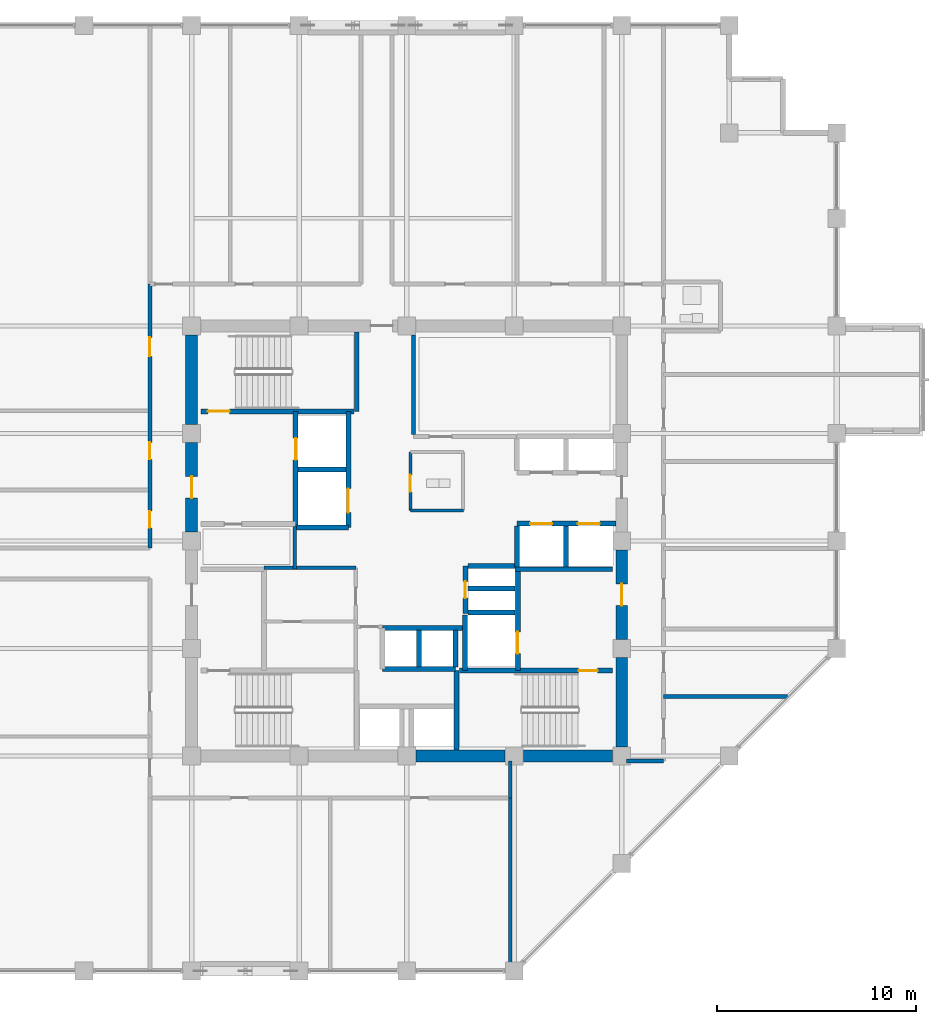
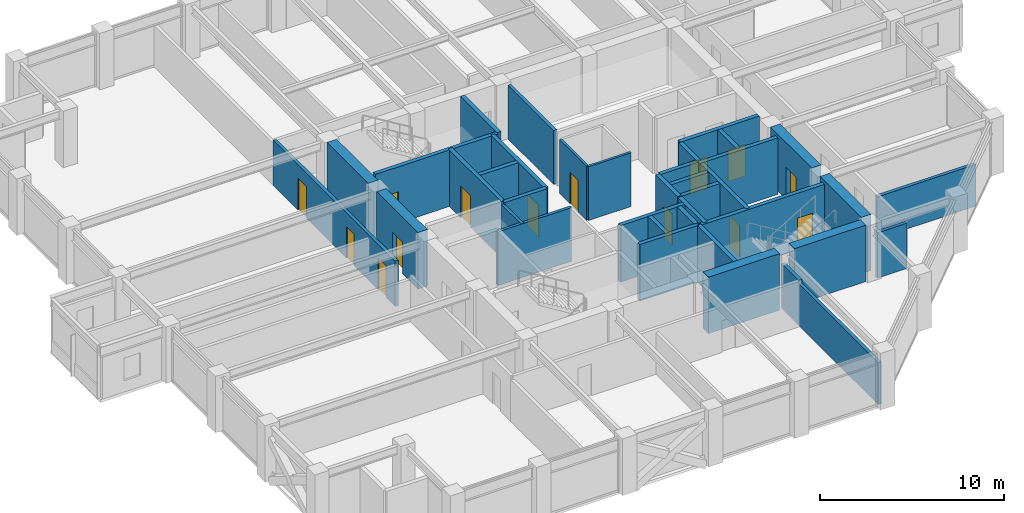
# One storey, part 23 of 28: 38 walls, 14 doors, 14 openings.
"""IFC4 building model written with IfcOpenShell, lengths in metres."""

from ifc_helpers import new_model, si_unit, direction, frame, frame_2d, origin, place, context, subcontext, project, spatial, rectangle, extrude, material, layer, layer_set, type_object, element, fill, save


model = new_model("IFC4")

# Units and contexts
model_context = context("Model", 3, precision=1e-05, world=origin(), true_north=direction((0.0, 1.0)))
body_context = subcontext(model_context, "Body", "Model", "MODEL_VIEW")
ifc_project = project(units=[si_unit("LENGTHUNIT", "METRE"), si_unit("AREAUNIT", "SQUARE_METRE"), si_unit("VOLUMEUNIT", "CUBIC_METRE"), si_unit("PLANEANGLEUNIT", "RADIAN"), si_unit("MASSUNIT", "GRAM", prefix="KILO")], contexts=[model_context])

# Site, building, storey
site_placement = place(None, origin())
site = spatial("IfcSite", under=ifc_project, at=site_placement, CompositionType="ELEMENT")
building_placement = place(site_placement, origin())
building = spatial("IfcBuilding", under=site, at=building_placement, Name="Surkhivell Harbour Commons", CompositionType="ELEMENT")
storey_placement = place(building_placement, frame((0.0, 0.0, 174.75)))
storey = spatial("IfcBuildingStorey", under=building, at=storey_placement, Name="L45", CompositionType="ELEMENT", Elevation=174.75)

# Wall
ifc_material_1 = material(Name="Concrete C60/75", Category="concrete")
ifc_layer_1 = layer(ifc_material_1, 0.60009765625)
ifc_layer_set_1 = layer_set([ifc_layer_1], Name="Concrete C60/75")
wall_type_1 = type_object("IfcWallType", Name="WAL-CORE-600", PredefinedType="SHEAR", material=ifc_layer_set_1)
wall_1_placement = place(storey_placement, frame((10.800048828125, -10.340087890625, 0.0), z_axis=(0.0, 0.0, 1.0), x_axis=(0.0, 1.0, 0.0)))
element("IfcWall", 1, at=wall_1_placement, inside=storey, type_object=wall_type_1, Name="L45 Core Shear Wall East 1", PredefinedType="SHEAR", context=body_context, shape_type="SweptSolid", body=[
    extrude(rectangle(XDim=4.47998046875, YDim=0.60009765625, at=frame_2d((2.239990234375, 0.0))), origin(), (0.0, 0.0, 1.0), 3.75),
])

# Wall, opening, door
wall_2_placement = place(storey_placement, frame((10.800048828125, -4.93994140625, 0.0), z_axis=(0.0, 0.0, 1.0), x_axis=(0.0, 1.0, 0.0)))
wall_2 = element("IfcWall", 2, at=wall_2_placement, inside=storey, type_object=wall_type_1, Name="L45 Core Shear Wall East 2", PredefinedType="SHEAR", context=body_context, shape_type="SweptSolid", body=[
    extrude(rectangle(XDim=4.47998046875, YDim=0.60009765625, at=frame_2d((2.239990234375, 0.0))), origin(), (0.0, 0.0, 1.0), 3.75),
])
opening_1_placement = place(wall_2_placement, frame((1.68994140625, 0.0, 0.0)))
opening_1 = element("IfcOpeningElement", 3, at=opening_1_placement, cuts=wall_2, Name="Opening ID-1", PredefinedType="OPENING", context=body_context, shape_type="SweptSolid", body=[
    extrude(rectangle(XDim=1.10009765625, YDim=2.10009765625, at=frame_2d((0.550048828125, 1.050048828125))), frame((0.0, 0.31005859375, 0.0), z_axis=(0.0, -1.0, 0.0), x_axis=(1.0, 0.0, 0.0)), (0.0, 0.0, 1.0), 0.6201171875),
])
ifc_material_2 = material(Name="Hardwood-veneered fire-rated door leaf", Category="wood")
door_type_1 = type_object("IfcDoorType", Name="DOR-FD120-1100", OperationType="NOTDEFINED", PredefinedType="DOOR", material=ifc_material_2)
door_1_placement = place(opening_1_placement, origin())
door_1 = element("IfcDoor", 4, at=door_1_placement, inside=storey, type_object=door_type_1, Name="L45 Firefighting Lobby 2 Corridor Door", OperationType="SINGLE_SWING_RIGHT", OverallHeight=2.10009765625, OverallWidth=1.10009765625, PredefinedType="DOOR", context=body_context, shape_type="SweptSolid", body=[
    extrude(rectangle(XDim=1.10009765625, YDim=2.10009765625, at=frame_2d((0.550048828125, 1.050048828125))), frame((0.0, 0.02490234375, 0.0), z_axis=(0.0, -1.0, 0.0), x_axis=(1.0, 0.0, 0.0)), (0.0, 0.0, 1.0), 0.050048828125),
])
fill(opening_1, door_1)

# Wall
wall_3_placement = place(storey_placement, frame((0.4599609375, -10.800048828125, 0.0), z_axis=(0.0, 0.0, 1.0), x_axis=(1.0, 0.0, 0.0)))
element("IfcWall", 5, at=wall_3_placement, inside=storey, type_object=wall_type_1, Name="L45 Core Shear Wall South 3", PredefinedType="SHEAR", context=body_context, shape_type="SweptSolid", body=[
    extrude(rectangle(XDim=4.47998046875, YDim=0.60009765625, at=frame_2d((2.239990234375, 0.0))), origin(), (0.0, 0.0, 1.0), 3.75),
])

# Wall, opening, door
wall_4_placement = place(storey_placement, frame((-10.800048828125, 0.4599609375, 0.0), z_axis=(0.0, 0.0, 1.0), x_axis=(0.0, 1.0, 0.0)))
wall_4 = element("IfcWall", 6, at=wall_4_placement, inside=storey, type_object=wall_type_1, Name="L45 Core Shear Wall West 3", PredefinedType="SHEAR", context=body_context, shape_type="SweptSolid", body=[
    extrude(rectangle(XDim=4.47998046875, YDim=0.60009765625, at=frame_2d((2.239990234375, 0.0))), origin(), (0.0, 0.0, 1.0), 3.75),
])
opening_2_placement = place(wall_4_placement, frame((1.68994140625, 0.0, 0.0)))
opening_2 = element("IfcOpeningElement", 7, at=opening_2_placement, cuts=wall_4, Name="Opening ID-1", PredefinedType="OPENING", context=body_context, shape_type="SweptSolid", body=[
    extrude(rectangle(XDim=1.10009765625, YDim=2.10009765625, at=frame_2d((0.550048828125, 1.050048828125))), frame((0.0, 0.31005859375, 0.0), z_axis=(0.0, -1.0, 0.0), x_axis=(1.0, 0.0, 0.0)), (0.0, 0.0, 1.0), 0.6201171875),
])
door_2_placement = place(opening_2_placement, origin())
door_2 = element("IfcDoor", 8, at=door_2_placement, inside=storey, type_object=door_type_1, Name="L45 Firefighting Lobby 1 Corridor Door", OperationType="SINGLE_SWING_LEFT", OverallHeight=2.10009765625, OverallWidth=1.10009765625, PredefinedType="DOOR", context=body_context, shape_type="SweptSolid", body=[
    extrude(rectangle(XDim=1.10009765625, YDim=2.10009765625, at=frame_2d((0.550048828125, 1.050048828125))), frame((0.0, 0.02490234375, 0.0), z_axis=(0.0, -1.0, 0.0), x_axis=(1.0, 0.0, 0.0)), (0.0, 0.0, 1.0), 0.050048828125),
])
fill(opening_2, door_2)

# Walls
for number, where, z_axis, x_axis, name in (
    (9, (5.860107421875, -10.800048828125, 0.0), (0.0, 0.0, 1.0), (1.0, 0.0, 0.0), "L45 Core Shear Wall South 4"),
    (10, (-10.800048828125, 5.860107421875, 0.0), (0.0, 0.0, 1.0), (0.0, 1.0, 0.0), "L45 Core Shear Wall West 4"),
):
    element("IfcWall", number, at=place(storey_placement, frame(where, z_axis=z_axis, x_axis=x_axis)), inside=storey, type_object=wall_type_1, Name=name, PredefinedType="SHEAR", context=body_context, shape_type="SweptSolid", body=[
        extrude(rectangle(XDim=4.47998046875, YDim=0.60009765625, at=frame_2d((2.239990234375, 0.0))), origin(), (0.0, 0.0, 1.0), 3.75),
    ])
ifc_material_3 = material(Name="Twin-stud acoustic fireboard partition", Category="other")
ifc_layer_2 = layer(ifc_material_3, 0.14990234375)
ifc_layer_set_2 = layer_set([ifc_layer_2], Name="Twin-stud acoustic fireboard partition")
wall_type_2 = type_object("IfcWallType", Name="WAL-INT-150", PredefinedType="PARTITIONING", material=ifc_layer_set_2)
wall_5_placement = place(storey_placement, frame((0.179931640625, 1.52001953125, 0.0), z_axis=(0.0, 0.0, 1.0), x_axis=(1.0, 0.0, 0.0)))
element("IfcWall", 11, at=wall_5_placement, inside=storey, type_object=wall_type_2, Name="L45 Core Accessible WC South Wall", PredefinedType="PARTITIONING", context=body_context, shape_type="SweptSolid", body=[
    extrude(rectangle(XDim=2.670166015625, YDim=0.14990234375, at=frame_2d((1.3349609375, 0.0))), origin(), (0.0, 0.0, 1.0), 3.570068359375),
])

# Wall, opening, door
wall_6_placement = place(storey_placement, frame((0.179931640625, 1.52001953125, 0.0), z_axis=(0.0, 0.0, 1.0), x_axis=(0.0, 1.0, 0.0)))
wall_6 = element("IfcWall", 12, at=wall_6_placement, inside=storey, type_object=wall_type_2, Name="L45 Core Accessible WC West Wall", PredefinedType="PARTITIONING", context=body_context, shape_type="SweptSolid", body=[
    extrude(rectangle(XDim=2.9599609375, YDim=0.14990234375, at=frame_2d((1.47998046875, 0.0))), origin(), (0.0, 0.0, 1.0), 3.570068359375),
])
opening_3_placement = place(wall_6_placement, frame((0.949951171875, 0.0, 0.0)))
opening_3 = element("IfcOpeningElement", 13, at=opening_3_placement, cuts=wall_6, Name="Opening ID-6", PredefinedType="OPENING", context=body_context, shape_type="SweptSolid", body=[
    extrude(rectangle(XDim=0.85009765625, YDim=2.10009765625, at=frame_2d((0.425048828125, 1.050048828125))), frame((0.0, 0.0849609375, 0.0), z_axis=(0.0, -1.0, 0.0), x_axis=(1.0, 0.0, 0.0)), (0.0, 0.0, 1.0), 0.169921875),
])
door_type_2 = type_object("IfcDoorType", Name="DOR-FD30-850", OperationType="NOTDEFINED", PredefinedType="DOOR", material=ifc_material_2)
door_3_placement = place(opening_3_placement, origin())
door_3 = element("IfcDoor", 14, at=door_3_placement, inside=storey, type_object=door_type_2, Name="L45 Floor Accessible WC Door", OperationType="SINGLE_SWING_RIGHT", OverallHeight=2.10009765625, OverallWidth=0.85009765625, PredefinedType="DOOR", context=body_context, shape_type="SweptSolid", body=[
    extrude(rectangle(XDim=0.85009765625, YDim=2.10009765625, at=frame_2d((0.425048828125, 1.050048828125))), frame((0.0, 0.02490234375, 0.0), z_axis=(0.0, -1.0, 0.0), x_axis=(1.0, 0.0, 0.0)), (0.0, 0.0, 1.0), 0.050048828125),
])
fill(opening_3, door_3)

# Walls
ifc_material_4 = material(Name="High-density acoustic blockwork fire partition", Category="masonry")
ifc_layer_3 = layer(ifc_material_4, 0.175048828125)
ifc_layer_set_3 = layer_set([ifc_layer_3], Name="High-density acoustic blockwork fire partition")
wall_type_3 = type_object("IfcWallType", Name="WAL-INT-175", PredefinedType="PARTITIONING", material=ifc_layer_set_3)
wall_7_placement = place(storey_placement, frame((-7.179931640625, -1.35009765625, 0.0), z_axis=(0.0, 0.0, 1.0), x_axis=(1.0, 0.0, 0.0)))
element("IfcWall", 15, at=wall_7_placement, inside=storey, type_object=wall_type_3, Name="L45 Core Service Bay North Wall", PredefinedType="PARTITIONING", context=body_context, shape_type="SweptSolid", body=[
    extrude(rectangle(XDim=4.6298828125, YDim=0.175048828125, at=frame_2d((2.31494140625, 0.0))), origin(), (0.0, 0.0, 1.0), 3.570068359375),
])
wall_8_placement = place(storey_placement, frame((-5.6201171875, -1.419921875, 0.0), z_axis=(0.0, 0.0, 1.0), x_axis=(0.0, 1.0, 0.0)))
element("IfcWall", 16, at=wall_8_placement, inside=storey, type_object=wall_type_3, Name="L45 West Core Bay East Wall", PredefinedType="PARTITIONING", context=body_context, shape_type="SweptSolid", body=[
    extrude(rectangle(XDim=2.139892578125, YDim=0.175048828125, at=frame_2d((1.06982421875, 0.0))), origin(), (0.0, 0.0, 1.0), 3.570068359375),
])
ifc_material_5 = material(Name="Autoclaved aerated concrete blockwork and fire plaster", Category="masonry")
ifc_layer_4 = layer(ifc_material_5, 0.199951171875)
ifc_layer_set_4 = layer_set([ifc_layer_4], Name="Autoclaved aerated concrete blockwork and fire plaster")
wall_type_4 = type_object("IfcWallType", Name="WAL-INT-200", PredefinedType="PARTITIONING", material=ifc_layer_set_4)
wall_9_placement = place(storey_placement, frame((0.35009765625, 5.360107421875, 0.0), z_axis=(0.0, 0.0, 1.0), x_axis=(0.0, 1.0, 0.0)))
element("IfcWall", 17, at=wall_9_placement, inside=storey, type_object=wall_type_4, Name="L45 Reclaimed Core North Bay West Wall", PredefinedType="PARTITIONING", context=body_context, shape_type="SweptSolid", body=[
    extrude(rectangle(XDim=4.97998046875, YDim=0.199951171875, at=frame_2d((2.489990234375, 0.0))), origin(), (0.0, 0.0, 1.0), 3.570068359375),
])
wall_10_placement = place(storey_placement, frame((5.199951171875, -21.5400390625, 0.0), z_axis=(0.0, 0.0, 1.0), x_axis=(0.0, 1.0, 0.0)))
element("IfcWall", 18, at=wall_10_placement, inside=storey, type_object=wall_type_4, Name="L45 South-East Corner Wall", PredefinedType="PARTITIONING", context=body_context, shape_type="SweptSolid", body=[
    extrude(rectangle(XDim=8.64013671875, YDim=0.199951171875, at=frame_2d((4.320068359375, 0.0))), origin(), (0.0, 0.0, 1.0), 2.780029296875),
])
for number, where, z_axis, x_axis, name in (
    (19, (11.0400390625, -11.0400390625, 0.0), (0.0, 0.0, 1.0), (1.0, 0.0, 0.0), "L45 Corridor East South Closure Wall"),
    (20, (5.199951171875, -12.89990234375, 0.0), (0.0, 0.0, 1.0), (0.0, 1.0, 0.0), "L45 Corridor South End Wall"),
):
    element("IfcWall", number, at=place(storey_placement, frame(where, z_axis=z_axis, x_axis=x_axis)), inside=storey, type_object=wall_type_4, Name=name, PredefinedType="PARTITIONING", context=body_context, shape_type="SweptSolid", body=[
        extrude(rectangle(XDim=1.85986328125, YDim=0.199951171875, at=frame_2d((0.929931640625, 0.0))), origin(), (0.0, 0.0, 1.0), 3.006103515625),
    ])

# Wall, openings, doors
wall_11_placement = place(storey_placement, frame((-12.89990234375, -0.35009765625, 0.0), z_axis=(0.0, 0.0, 1.0), x_axis=(0.0, 1.0, 0.0)))
wall_11 = element("IfcWall", 21, at=wall_11_placement, inside=storey, type_object=wall_type_4, Name="L45 Corridor West-Upper Wall", PredefinedType="PARTITIONING", context=body_context, shape_type="SweptSolid", body=[
    extrude(rectangle(XDim=13.25, YDim=0.199951171875, at=frame_2d((6.625, 0.0))), origin(), (0.0, 0.0, 1.0), 3.006103515625),
])
opening_4_placement = place(wall_11_placement, frame((1.0048828125, 0.0, 0.0)))
opening_4 = element("IfcOpeningElement", 22, at=opening_4_placement, cuts=wall_11, Name="Opening ID-6", PredefinedType="OPENING", context=body_context, shape_type="SweptSolid", body=[
    extrude(rectangle(XDim=0.85009765625, YDim=2.10009765625, at=frame_2d((0.425048828125, 1.050048828125))), frame((0.0, 0.10986328125, 0.0), z_axis=(0.0, -1.0, 0.0), x_axis=(1.0, 0.0, 0.0)), (0.0, 0.0, 1.0), 0.219970703125),
])
opening_5_placement = place(wall_11_placement, frame((4.449951171875, 0.0, 0.0)))
opening_5 = element("IfcOpeningElement", 23, at=opening_5_placement, cuts=wall_11, Name="Opening ID-6", PredefinedType="OPENING", context=body_context, shape_type="SweptSolid", body=[
    extrude(rectangle(XDim=0.85009765625, YDim=2.10009765625, at=frame_2d((0.425048828125, 1.050048828125))), frame((0.0, 0.10986328125, 0.0), z_axis=(0.0, -1.0, 0.0), x_axis=(1.0, 0.0, 0.0)), (0.0, 0.0, 1.0), 0.219970703125),
])
opening_6_placement = place(wall_11_placement, frame((9.6201171875, 0.0, 0.0)))
opening_6 = element("IfcOpeningElement", 24, at=opening_6_placement, cuts=wall_11, Name="Opening ID-4", PredefinedType="OPENING", context=body_context, shape_type="SweptSolid", body=[
    extrude(rectangle(XDim=0.949951171875, YDim=2.10009765625, at=frame_2d((0.47509765625, 1.050048828125))), frame((0.0, 0.10986328125, 0.0), z_axis=(0.0, -1.0, 0.0), x_axis=(1.0, 0.0, 0.0)), (0.0, 0.0, 1.0), 0.219970703125),
])
door_4_placement = place(opening_4_placement, origin())
door_4 = element("IfcDoor", 25, at=door_4_placement, inside=storey, type_object=door_type_2, Name="L45 Co-Working Study Office 1 North-West Door", OperationType="SINGLE_SWING_RIGHT", OverallHeight=2.10009765625, OverallWidth=0.85009765625, PredefinedType="DOOR", context=body_context, shape_type="SweptSolid", body=[
    extrude(rectangle(XDim=0.85009765625, YDim=2.10009765625, at=frame_2d((0.425048828125, 1.050048828125))), frame((0.0, 0.02490234375, 0.0), z_axis=(0.0, -1.0, 0.0), x_axis=(1.0, 0.0, 0.0)), (0.0, 0.0, 1.0), 0.050048828125),
])
fill(opening_4, door_4)
door_5_placement = place(opening_5_placement, origin())
door_5 = element("IfcDoor", 26, at=door_5_placement, inside=storey, type_object=door_type_2, Name="L45 Co-Working Study Office 2 North-West Door", OperationType="SINGLE_SWING_LEFT", OverallHeight=2.10009765625, OverallWidth=0.85009765625, PredefinedType="DOOR", context=body_context, shape_type="SweptSolid", body=[
    extrude(rectangle(XDim=0.85009765625, YDim=2.10009765625, at=frame_2d((0.425048828125, 1.050048828125))), frame((0.0, 0.02490234375, 0.0), z_axis=(0.0, -1.0, 0.0), x_axis=(1.0, 0.0, 0.0)), (0.0, 0.0, 1.0), 0.050048828125),
])
fill(opening_5, door_5)
door_type_3 = type_object("IfcDoorType", Name="DOR-FD60-950", OperationType="NOTDEFINED", PredefinedType="DOOR", material=ifc_material_2)
door_6_placement = place(opening_6_placement, origin())
door_6 = element("IfcDoor", 27, at=door_6_placement, inside=storey, type_object=door_type_3, Name="L45 Co-Working Study Office 3 North-West Door", OperationType="SINGLE_SWING_RIGHT", OverallHeight=2.10009765625, OverallWidth=0.949951171875, PredefinedType="DOOR", context=body_context, shape_type="SweptSolid", body=[
    extrude(rectangle(XDim=0.949951171875, YDim=2.10009765625, at=frame_2d((0.47509765625, 1.050048828125))), frame((0.0, 0.02490234375, 0.0), z_axis=(0.0, -1.0, 0.0), x_axis=(1.0, 0.0, 0.0)), (0.0, 0.0, 1.0), 0.050048828125),
])
fill(opening_6, door_6)

# Wall
wall_12_placement = place(storey_placement, frame((12.89990234375, -7.800048828125, 0.0), z_axis=(0.0, 0.0, 1.0), x_axis=(1.0, 0.0, 0.0)))
element("IfcWall", 28, at=wall_12_placement, inside=storey, type_object=wall_type_4, Name="L45 East Partition PBOT", PredefinedType="PARTITIONING", context=body_context, shape_type="SweptSolid", body=[
    extrude(rectangle(XDim=6.21533203125, YDim=0.199951171875, at=frame_2d((3.107666015625, 0.0))), origin(), (0.0, 0.0, 1.0), 2.780029296875),
])

# Wall, opening, door
ifc_material_6 = material(Name="Concrete C50/60", Category="concrete")
ifc_layer_5 = layer(ifc_material_6, 0.25)
ifc_layer_set_5 = layer_set([ifc_layer_5], Name="Concrete C50/60")
wall_type_5 = type_object("IfcWallType", Name="WAL-SHAFT-250", PredefinedType="SHEAR", material=ifc_layer_set_5)
wall_13_placement = place(storey_placement, frame((-5.580078125, 0.719970703125, 0.0), z_axis=(0.0, 0.0, 1.0), x_axis=(0.0, 1.0, 0.0)))
wall_13 = element("IfcWall", 29, at=wall_13_placement, inside=storey, type_object=wall_type_5, Name="L45 Firefighting Lobby 1 East Shaft Wall", PredefinedType="SHEAR", context=body_context, shape_type="SweptSolid", body=[
    extrude(rectangle(XDim=5.7900390625, YDim=0.25, at=frame_2d((2.89501953125, 0.0))), origin(), (0.0, 0.0, 1.0), 3.75),
])
opening_7_placement = place(wall_13_placement, frame((3.35009765625, 0.0, 0.0)))
opening_7 = element("IfcOpeningElement", 30, at=opening_7_placement, cuts=wall_13, Name="Opening LD-1", PredefinedType="OPENING", context=body_context, shape_type="SweptSolid", body=[
    extrude(rectangle(XDim=1.10009765625, YDim=2.10009765625, at=frame_2d((0.550048828125, 1.050048828125))), frame((0.0, 0.135009765625, 0.0), z_axis=(0.0, -1.0, 0.0), x_axis=(1.0, 0.0, 0.0)), (0.0, 0.0, 1.0), 0.27001953125),
])
ifc_material_7 = material(Name="Brushed stainless steel S355", Category="steel")
door_type_4 = type_object("IfcDoorType", Name="DOR-LD-1100", OperationType="SLIDING_TO_LEFT", PredefinedType="DOOR", material=ifc_material_7)
door_7_placement = place(opening_7_placement, origin())
door_7 = element("IfcDoor", 31, at=door_7_placement, inside=storey, type_object=door_type_4, Name="L45 Lift Landing Door LD-FFL1", OperationType="SLIDING_TO_LEFT", OverallHeight=2.10009765625, OverallWidth=1.10009765625, PredefinedType="DOOR", context=body_context, shape_type="SweptSolid", body=[
    extrude(rectangle(XDim=1.10009765625, YDim=2.10009765625, at=frame_2d((0.550048828125, 1.050048828125))), frame((0.0, 0.02490234375, 0.0), z_axis=(0.0, -1.0, 0.0), x_axis=(1.0, 0.0, 0.0)), (0.0, 0.0, 1.0), 0.050048828125),
])
fill(opening_7, door_7)

# Walls
wall_14_placement = place(storey_placement, frame((2.929931640625, -6.510009765625, 0.0), z_axis=(0.0, 0.0, 1.0), x_axis=(0.0, 1.0, 0.0)))
element("IfcWall", 32, at=wall_14_placement, inside=storey, type_object=wall_type_5, Name="L45 FFL2 West Shaft Wall", PredefinedType="SHEAR", context=body_context, shape_type="SweptSolid", body=[
    extrude(rectangle(XDim=2.7900390625, YDim=0.25, at=frame_2d((1.39501953125, 0.0))), origin(), (0.0, 0.0, 1.0), 3.75),
])
wall_15_placement = place(storey_placement, frame((5.43994140625, -1.419921875, 0.0), z_axis=(0.0, 0.0, 1.0), x_axis=(1.0, 0.0, 0.0)))
element("IfcWall", 33, at=wall_15_placement, inside=storey, type_object=wall_type_5, Name="L45 Firefighting Lobby 2 North Wall", PredefinedType="SHEAR", context=body_context, shape_type="SweptSolid", body=[
    extrude(rectangle(XDim=4.900146484375, YDim=0.25, at=frame_2d((2.4501953125, 0.0))), origin(), (0.0, 0.0, 1.0), 3.75),
])
wall_16_placement = place(storey_placement, frame((3.080078125, -3.60009765625, 0.0), z_axis=(0.0, 0.0, 1.0), x_axis=(1.0, 0.0, 0.0)))
element("IfcWall", 34, at=wall_16_placement, inside=storey, type_object=wall_type_5, Name="L45 FFL2 North Shaft Wall", PredefinedType="SHEAR", context=body_context, shape_type="SweptSolid", body=[
    extrude(rectangle(XDim=2.369873046875, YDim=0.25, at=frame_2d((1.18505859375, 0.0))), origin(), (0.0, 0.0, 1.0), 3.75),
])

# Wall, opening, door
wall_17_placement = place(storey_placement, frame((5.580078125, -6.510009765625, 0.0), z_axis=(0.0, 0.0, 1.0), x_axis=(0.0, 1.0, 0.0)))
wall_17 = element("IfcWall", 35, at=wall_17_placement, inside=storey, type_object=wall_type_5, Name="L45 Firefighting Lobby 2 West Shaft Wall", PredefinedType="SHEAR", context=body_context, shape_type="SweptSolid", body=[
    extrude(rectangle(XDim=5.090087890625, YDim=0.25, at=frame_2d((2.544921875, 0.0))), origin(), (0.0, 0.0, 1.0), 3.75),
])
opening_8_placement = place(wall_17_placement, frame((0.85009765625, 0.0, 0.0)))
opening_8 = element("IfcOpeningElement", 36, at=opening_8_placement, cuts=wall_17, Name="Opening LD-1", PredefinedType="OPENING", context=body_context, shape_type="SweptSolid", body=[
    extrude(rectangle(XDim=1.10009765625, YDim=2.10009765625, at=frame_2d((0.550048828125, 1.050048828125))), frame((0.0, 0.135009765625, 0.0), z_axis=(0.0, -1.0, 0.0), x_axis=(1.0, 0.0, 0.0)), (0.0, 0.0, 1.0), 0.27001953125),
])
door_8_placement = place(opening_8_placement, origin())
door_8 = element("IfcDoor", 37, at=door_8_placement, inside=storey, type_object=door_type_4, Name="L45 Lift Landing Door LD-FFL2", OperationType="SLIDING_TO_RIGHT", OverallHeight=2.10009765625, OverallWidth=1.10009765625, PredefinedType="DOOR", context=body_context, shape_type="SweptSolid", body=[
    extrude(rectangle(XDim=1.10009765625, YDim=2.10009765625, at=frame_2d((0.550048828125, 1.050048828125))), frame((0.0, 0.02490234375, 0.0), z_axis=(0.0, -1.0, 0.0), x_axis=(1.0, 0.0, 0.0)), (0.0, 0.0, 1.0), 0.050048828125),
])
fill(opening_8, door_8)

# Walls
for number, where, z_axis, x_axis, name in (
    (38, (0.6201171875, -6.340087890625, 0.0), (0.0, 0.0, 1.0), (0.0, 1.0, 0.0), "L45 High-Rise Side Wall N"),
    (39, (2.449951171875, -6.340087890625, 0.0), (0.0, 0.0, 1.0), (0.0, 1.0, 0.0), "L45 High-Rise Side Wall N"),
):
    element("IfcWall", number, at=place(storey_placement, frame(where, z_axis=z_axis, x_axis=x_axis)), inside=storey, type_object=wall_type_5, Name=name, PredefinedType="SHEAR", context=body_context, shape_type="SweptSolid", body=[
        extrude(rectangle(XDim=1.880126953125, YDim=0.25, at=frame_2d((0.93994140625, 0.0))), origin(), (0.0, 0.0, 1.0), 3.75),
    ])
wall_18_placement = place(storey_placement, frame((-1.219970703125, -6.43994140625, 0.0), z_axis=(0.0, 0.0, 1.0), x_axis=(1.0, 0.0, 0.0)))
element("IfcWall", 40, at=wall_18_placement, inside=storey, type_object=wall_type_5, Name="L45 High-Rise North Front Shaft Wall", PredefinedType="SHEAR", context=body_context, shape_type="SweptSolid", body=[
    extrude(rectangle(XDim=3.669921875, YDim=0.25, at=frame_2d((1.8349609375, 0.0))), origin(), (0.0, 0.0, 1.0), 3.75),
])
wall_19_placement = place(storey_placement, frame((-1.219970703125, -4.360107421875, 0.0), z_axis=(0.0, 0.0, 1.0), x_axis=(1.0, 0.0, 0.0)))
element("IfcWall", 41, at=wall_19_placement, inside=storey, type_object=wall_type_5, Name="L45 High-Rise North Back Shaft Wall", PredefinedType="SHEAR", context=body_context, shape_type="SweptSolid", body=[
    extrude(rectangle(XDim=4.030029296875, YDim=0.25, at=frame_2d((2.01513671875, 0.0))), origin(), (0.0, 0.0, 1.0), 3.75),
])
for number, where, z_axis, x_axis, name in (
    (42, (5.550048828125, -1.300048828125, 0.0), (0.0, 0.0, 1.0), (0.0, 1.0, 0.0), "L45 Mid-Rise Shaft Side Wall S"),
    (43, (8.0, -1.300048828125, 0.0), (0.0, 0.0, 1.0), (0.0, 1.0, 0.0), "L45 Mid-Rise Shaft Side Wall S"),
):
    element("IfcWall", number, at=place(storey_placement, frame(where, z_axis=z_axis, x_axis=x_axis)), inside=storey, type_object=wall_type_5, Name=name, PredefinedType="SHEAR", context=body_context, shape_type="SweptSolid", body=[
        extrude(rectangle(XDim=2.0400390625, YDim=0.25, at=frame_2d((1.02001953125, 0.0))), origin(), (0.0, 0.0, 1.0), 3.75),
    ])

# Wall, openings, doors
wall_20_placement = place(storey_placement, frame((5.550048828125, 0.8701171875, 0.0), z_axis=(0.0, 0.0, 1.0), x_axis=(1.0, 0.0, 0.0)))
wall_20 = element("IfcWall", 44, at=wall_20_placement, inside=storey, type_object=wall_type_5, Name="L45 Mid-Rise South Front Shaft Wall", PredefinedType="SHEAR", context=body_context, shape_type="SweptSolid", body=[
    extrude(rectangle(XDim=4.949951171875, YDim=0.25, at=frame_2d((2.47509765625, 0.0))), origin(), (0.0, 0.0, 1.0), 3.75),
])
opening_9_placement = place(wall_20_placement, frame((0.64990234375, 0.0, 0.0)))
opening_9 = element("IfcOpeningElement", 45, at=opening_9_placement, cuts=wall_20, Name="Opening LD-1", PredefinedType="OPENING", context=body_context, shape_type="SweptSolid", body=[
    extrude(rectangle(XDim=1.10009765625, YDim=2.10009765625, at=frame_2d((0.550048828125, 1.050048828125))), frame((0.0, 0.135009765625, 0.0), z_axis=(0.0, -1.0, 0.0), x_axis=(1.0, 0.0, 0.0)), (0.0, 0.0, 1.0), 0.27001953125),
])
opening_10_placement = place(wall_20_placement, frame((3.050048828125, 0.0, 0.0)))
opening_10 = element("IfcOpeningElement", 46, at=opening_10_placement, cuts=wall_20, Name="Opening LD-1", PredefinedType="OPENING", context=body_context, shape_type="SweptSolid", body=[
    extrude(rectangle(XDim=1.10009765625, YDim=2.10009765625, at=frame_2d((0.550048828125, 1.050048828125))), frame((0.0, 0.135009765625, 0.0), z_axis=(0.0, -1.0, 0.0), x_axis=(1.0, 0.0, 0.0)), (0.0, 0.0, 1.0), 0.27001953125),
])
door_9_placement = place(opening_9_placement, origin())
door_9 = element("IfcDoor", 47, at=door_9_placement, inside=storey, type_object=door_type_4, Name="L45 Lift Landing Door LD-PM3", OperationType="SLIDING_TO_RIGHT", OverallHeight=2.10009765625, OverallWidth=1.10009765625, PredefinedType="DOOR", context=body_context, shape_type="SweptSolid", body=[
    extrude(rectangle(XDim=1.10009765625, YDim=2.10009765625, at=frame_2d((0.550048828125, 1.050048828125))), frame((0.0, 0.02490234375, 0.0), z_axis=(0.0, -1.0, 0.0), x_axis=(1.0, 0.0, 0.0)), (0.0, 0.0, 1.0), 0.050048828125),
])
fill(opening_9, door_9)
door_10_placement = place(opening_10_placement, origin())
door_10 = element("IfcDoor", 48, at=door_10_placement, inside=storey, type_object=door_type_4, Name="L45 Lift Landing Door LD-PM4", OperationType="SLIDING_TO_RIGHT", OverallHeight=2.10009765625, OverallWidth=1.10009765625, PredefinedType="DOOR", context=body_context, shape_type="SweptSolid", body=[
    extrude(rectangle(XDim=1.10009765625, YDim=2.10009765625, at=frame_2d((0.550048828125, 1.050048828125))), frame((0.0, 0.02490234375, 0.0), z_axis=(0.0, -1.0, 0.0), x_axis=(1.0, 0.0, 0.0)), (0.0, 0.0, 1.0), 0.050048828125),
])
fill(opening_10, door_10)

# Walls
for number, where, z_axis, x_axis, name in (
    (49, (3.080078125, -2.3798828125, 0.0), (0.0, 0.0, 1.0), (1.0, 0.0, 0.0), "L45 Riser Divider Wall"),
    (50, (3.080078125, -1.25, 0.0), (0.0, 0.0, 1.0), (1.0, 0.0, 0.0), "L45 Riser North Wall"),
):
    element("IfcWall", number, at=place(storey_placement, frame(where, z_axis=z_axis, x_axis=x_axis)), inside=storey, type_object=wall_type_5, Name=name, PredefinedType="SHEAR", context=body_context, shape_type="SweptSolid", body=[
        extrude(rectangle(XDim=2.369873046875, YDim=0.25, at=frame_2d((1.18505859375, 0.0))), origin(), (0.0, 0.0, 1.0), 3.75),
    ])

# Wall, opening, door
wall_21_placement = place(storey_placement, frame((2.949951171875, -3.64990234375, 0.0), z_axis=(0.0, 0.0, 1.0), x_axis=(0.0, 1.0, 0.0)))
wall_21 = element("IfcWall", 51, at=wall_21_placement, inside=storey, type_object=wall_type_5, Name="L45 Riser Shaft West Wall", PredefinedType="SHEAR", context=body_context, shape_type="SweptSolid", body=[
    extrude(rectangle(XDim=2.39990234375, YDim=0.25, at=frame_2d((1.199951171875, 0.0))), origin(), (0.0, 0.0, 1.0), 3.75),
])
opening_11_placement = place(wall_21_placement, frame((0.77490234375, 0.0, 0.0)))
opening_11 = element("IfcOpeningElement", 52, at=opening_11_placement, cuts=wall_21, Name="Opening ID-6", PredefinedType="OPENING", context=body_context, shape_type="SweptSolid", body=[
    extrude(rectangle(XDim=0.85009765625, YDim=2.10009765625, at=frame_2d((0.425048828125, 1.050048828125))), frame((0.0, 0.135009765625, 0.0), z_axis=(0.0, -1.0, 0.0), x_axis=(1.0, 0.0, 0.0)), (0.0, 0.0, 1.0), 0.27001953125),
])
door_11_placement = place(opening_11_placement, origin())
door_11 = element("IfcDoor", 53, at=door_11_placement, inside=storey, type_object=door_type_2, Name="L45 Electrical Riser Access Door", OperationType="SINGLE_SWING_LEFT", OverallHeight=2.10009765625, OverallWidth=0.85009765625, PredefinedType="DOOR", context=body_context, shape_type="SweptSolid", body=[
    extrude(rectangle(XDim=0.85009765625, YDim=2.10009765625, at=frame_2d((0.425048828125, 1.050048828125))), frame((0.0, 0.02490234375, 0.0), z_axis=(0.0, -1.0, 0.0), x_axis=(1.0, 0.0, 0.0)), (0.0, 0.0, 1.0), 0.050048828125),
])
fill(opening_11, door_11)

# Wall
wall_22_placement = place(storey_placement, frame((-2.510009765625, 6.510009765625, 0.0), z_axis=(0.0, 0.0, 1.0), x_axis=(0.0, 1.0, 0.0)))
element("IfcWall", 54, at=wall_22_placement, inside=storey, type_object=wall_type_5, Name="L45 Stair ST1 East Shear Wall", PredefinedType="SHEAR", context=body_context, shape_type="SweptSolid", body=[
    extrude(rectangle(XDim=3.989990234375, YDim=0.25, at=frame_2d((1.9951171875, 0.0))), origin(), (0.0, 0.0, 1.0), 3.75),
])

# Wall, opening, door
wall_23_placement = place(storey_placement, frame((-10.340087890625, 6.510009765625, 0.0), z_axis=(0.0, 0.0, 1.0), x_axis=(1.0, 0.0, 0.0)))
wall_23 = element("IfcWall", 55, at=wall_23_placement, inside=storey, type_object=wall_type_5, Name="L45 Stair ST1 South Shear Wall", PredefinedType="SHEAR", context=body_context, shape_type="SweptSolid", body=[
    extrude(rectangle(XDim=7.7001953125, YDim=0.25, at=frame_2d((3.85009765625, 0.0))), origin(), (0.0, 0.0, 1.0), 3.75),
])
opening_12_placement = place(wall_23_placement, frame((0.35009765625, 0.0, 0.0)))
opening_12 = element("IfcOpeningElement", 56, at=opening_12_placement, cuts=wall_23, Name="Opening ID-2", PredefinedType="OPENING", context=body_context, shape_type="SweptSolid", body=[
    extrude(rectangle(XDim=1.10009765625, YDim=2.10009765625, at=frame_2d((0.550048828125, 1.050048828125))), frame((0.0, 0.135009765625, 0.0), z_axis=(0.0, -1.0, 0.0), x_axis=(1.0, 0.0, 0.0)), (0.0, 0.0, 1.0), 0.27001953125),
])
door_type_5 = type_object("IfcDoorType", Name="DOR-FD60-1100", OperationType="NOTDEFINED", PredefinedType="DOOR", material=ifc_material_2)
door_12_placement = place(opening_12_placement, origin())
door_12 = element("IfcDoor", 57, at=door_12_placement, inside=storey, type_object=door_type_5, Name="L45 Stair ST1 Exit Door", OperationType="SINGLE_SWING_LEFT", OverallHeight=2.10009765625, OverallWidth=1.10009765625, PredefinedType="DOOR", context=body_context, shape_type="SweptSolid", body=[
    extrude(rectangle(XDim=1.10009765625, YDim=2.10009765625, at=frame_2d((0.550048828125, 1.050048828125))), frame((0.0, 0.02490234375, 0.0), z_axis=(0.0, -1.0, 0.0), x_axis=(1.0, 0.0, 0.0)), (0.0, 0.0, 1.0), 0.050048828125),
])
fill(opening_12, door_12)

wall_24_placement = place(storey_placement, frame((2.639892578125, -6.510009765625, 0.0), z_axis=(0.0, 0.0, 1.0), x_axis=(1.0, 0.0, 0.0)))
wall_24 = element("IfcWall", 58, at=wall_24_placement, inside=storey, type_object=wall_type_5, Name="L45 Stair ST2 North Shear Wall", PredefinedType="SHEAR", context=body_context, shape_type="SweptSolid", body=[
    extrude(rectangle(XDim=7.7001953125, YDim=0.25, at=frame_2d((3.85009765625, 0.0))), origin(), (0.0, 0.0, 1.0), 3.75),
])
opening_13_placement = place(wall_24_placement, frame((6.0, 0.0, 0.0)))
opening_13 = element("IfcOpeningElement", 59, at=opening_13_placement, cuts=wall_24, Name="Opening ID-4", PredefinedType="OPENING", context=body_context, shape_type="SweptSolid", body=[
    extrude(rectangle(XDim=0.949951171875, YDim=2.10009765625, at=frame_2d((0.47509765625, 1.050048828125))), frame((0.0, 0.135009765625, 0.0), z_axis=(0.0, -1.0, 0.0), x_axis=(1.0, 0.0, 0.0)), (0.0, 0.0, 1.0), 0.27001953125),
])
door_13_placement = place(opening_13_placement, origin())
door_13 = element("IfcDoor", 60, at=door_13_placement, inside=storey, type_object=door_type_3, Name="L45 Stair ST2 Exit Door", OperationType="SINGLE_SWING_RIGHT", OverallHeight=2.10009765625, OverallWidth=0.949951171875, PredefinedType="DOOR", context=body_context, shape_type="SweptSolid", body=[
    extrude(rectangle(XDim=0.949951171875, YDim=2.10009765625, at=frame_2d((0.47509765625, 1.050048828125))), frame((0.0, 0.02490234375, 0.0), z_axis=(0.0, -1.0, 0.0), x_axis=(1.0, 0.0, 0.0)), (0.0, 0.0, 1.0), 0.050048828125),
])
fill(opening_13, door_13)

# Wall
wall_25_placement = place(storey_placement, frame((2.510009765625, -10.5, 0.0), z_axis=(0.0, 0.0, 1.0), x_axis=(0.0, 1.0, 0.0)))
element("IfcWall", 61, at=wall_25_placement, inside=storey, type_object=wall_type_5, Name="L45 Stair ST2 West Shear Wall", PredefinedType="SHEAR", context=body_context, shape_type="SweptSolid", body=[
    extrude(rectangle(XDim=3.989990234375, YDim=0.25, at=frame_2d((1.9951171875, 0.0))), origin(), (0.0, 0.0, 1.0), 3.75),
])

# Wall, opening, door
wall_26_placement = place(storey_placement, frame((-2.929931640625, 0.679931640625, 0.0), z_axis=(0.0, 0.0, 1.0), x_axis=(0.0, 1.0, 0.0)))
wall_26 = element("IfcWall", 62, at=wall_26_placement, inside=storey, type_object=wall_type_5, Name="L45 Service and Fire Lift East Shaft Wall", PredefinedType="SHEAR", context=body_context, shape_type="SweptSolid", body=[
    extrude(rectangle(XDim=5.830078125, YDim=0.25, at=frame_2d((2.9150390625, 0.0))), origin(), (0.0, 0.0, 1.0), 3.75),
])
opening_14_placement = place(wall_26_placement, frame((0.75, 0.0, 0.0)))
opening_14 = element("IfcOpeningElement", 63, at=opening_14_placement, cuts=wall_26, Name="Opening LD-2", PredefinedType="OPENING", context=body_context, shape_type="SweptSolid", body=[
    extrude(rectangle(XDim=1.199951171875, YDim=2.10009765625, at=frame_2d((0.60009765625, 1.050048828125))), frame((0.0, 0.135009765625, 0.0), z_axis=(0.0, -1.0, 0.0), x_axis=(1.0, 0.0, 0.0)), (0.0, 0.0, 1.0), 0.27001953125),
])
door_type_6 = type_object("IfcDoorType", Name="DOR-LD-1200", OperationType="SLIDING_TO_LEFT", PredefinedType="DOOR", material=ifc_material_7)
door_14_placement = place(opening_14_placement, origin())
door_14 = element("IfcDoor", 64, at=door_14_placement, inside=storey, type_object=door_type_6, Name="L45 Lift Landing Door LD-SVL1", OperationType="SLIDING_TO_LEFT", OverallHeight=2.10009765625, OverallWidth=1.199951171875, PredefinedType="DOOR", context=body_context, shape_type="SweptSolid", body=[
    extrude(rectangle(XDim=1.199951171875, YDim=2.10009765625, at=frame_2d((0.60009765625, 1.050048828125))), frame((0.0, 0.02490234375, 0.0), z_axis=(0.0, -1.0, 0.0), x_axis=(1.0, 0.0, 0.0)), (0.0, 0.0, 1.0), 0.050048828125),
])
fill(opening_14, door_14)

# Walls
wall_27_placement = place(storey_placement, frame((-5.449951171875, 3.60009765625, 0.0), z_axis=(0.0, 0.0, 1.0), x_axis=(1.0, 0.0, 0.0)))
element("IfcWall", 65, at=wall_27_placement, inside=storey, type_object=wall_type_5, Name="L45 FFL1/SVL1 Shaft Divider", PredefinedType="SHEAR", context=body_context, shape_type="SweptSolid", body=[
    extrude(rectangle(XDim=2.389892578125, YDim=0.25, at=frame_2d((1.19482421875, 0.0))), origin(), (0.0, 0.0, 1.0), 3.75),
])
wall_28_placement = place(storey_placement, frame((-5.580078125, 0.679931640625, 0.0), z_axis=(0.0, 0.0, 1.0), x_axis=(1.0, 0.0, 0.0)))
element("IfcWall", 66, at=wall_28_placement, inside=storey, type_object=wall_type_5, Name="L45 SVL1 South Shaft Wall", PredefinedType="SHEAR", context=body_context, shape_type="SweptSolid", body=[
    extrude(rectangle(XDim=2.650146484375, YDim=0.25, at=frame_2d((1.3251953125, 0.0))), origin(), (0.0, 0.0, 1.0), 3.75),
])

save(model, "model.ifc")
